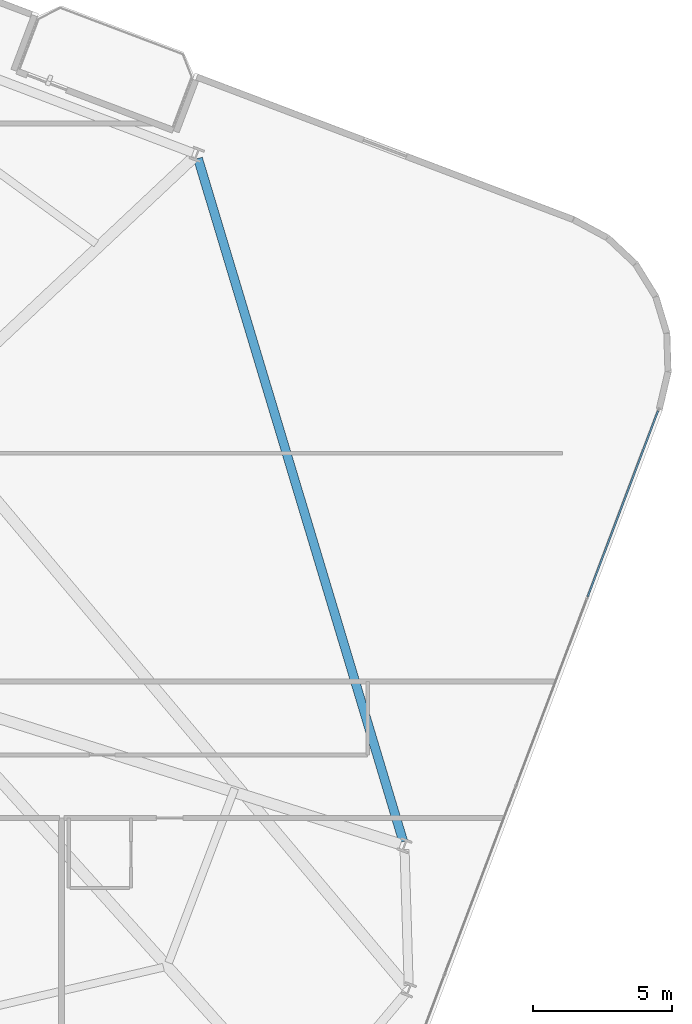
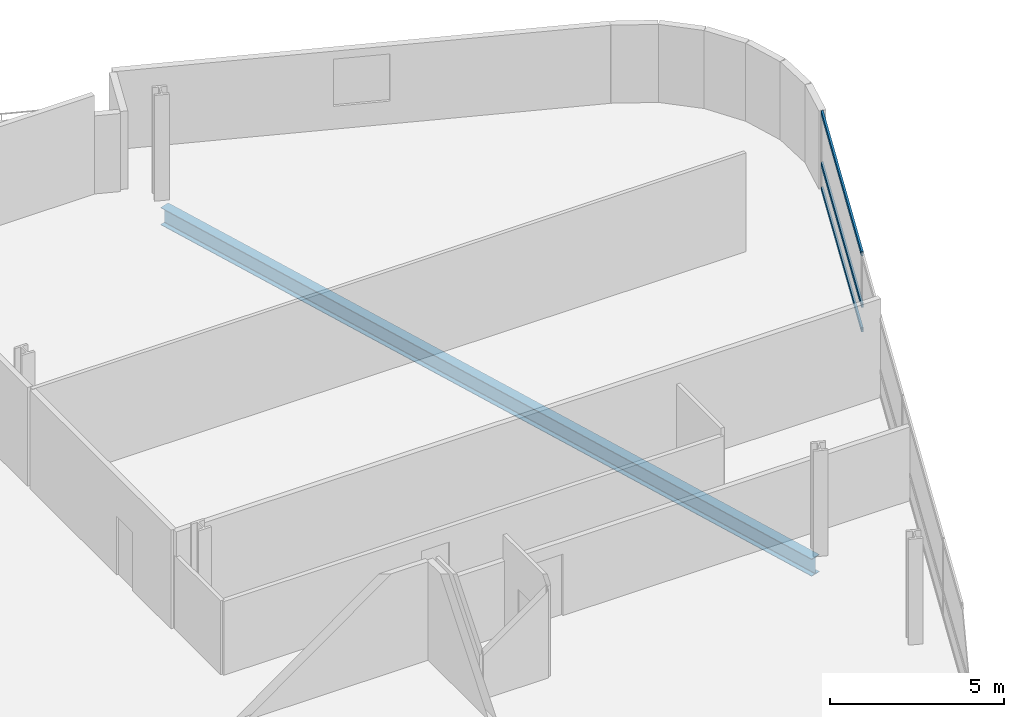
# One storey, part 14 of 24: 3 members, 1 beam, 1 element without a shape of its own.
"""IFC4 building model written with IfcOpenShell, lengths in metres."""

from ifc_helpers import new_model, si_unit, direction, frame, origin, origin_2d, place, context, subcontext, project, spatial, hollow_rectangle, i_section, extrude, material, layer, layer_set, material_profile, profile_set, type_object, element, aggregate, save


model = new_model("IFC4")

# Units and contexts
model_context = context("Model", 3, precision=1e-05, world=origin(), true_north=direction((0.0, 1.0)))
body_context = subcontext(model_context, "Body", "Model", "MODEL_VIEW")
ifc_project = project(units=[si_unit("LENGTHUNIT", "METRE"), si_unit("AREAUNIT", "SQUARE_METRE"), si_unit("VOLUMEUNIT", "CUBIC_METRE"), si_unit("PLANEANGLEUNIT", "RADIAN"), si_unit("MASSUNIT", "GRAM", prefix="KILO")], contexts=[model_context])

# Site, building, storey
site_placement = place(None, origin())
site = spatial("IfcSite", under=ifc_project, at=site_placement, CompositionType="ELEMENT")
building_placement = place(site_placement, origin())
building = spatial("IfcBuilding", under=site, at=building_placement, Name="Varnelok Gate Tower", CompositionType="ELEMENT")
storey_placement = place(building_placement, frame((0.0, 0.0, 94.699951171875)))
storey = spatial("IfcBuildingStorey", under=building, at=storey_placement, Name="L23", CompositionType="ELEMENT", Elevation=94.699951171875)

# Beam
ifc_material_1 = material(Name="Structural Steel ASTM A992 Grade 50", Category="steel")
ifc_material_profile_1 = material_profile(ifc_material_1, i_section(OverallWidth=0.323974609375, OverallDepth=0.611083984375, WebThickness=0.0126953125, FlangeThickness=0.01904296875, FilletRadius=0.01806640625, at=origin_2d()), Name="W24X104")
ifc_profile_set_1 = profile_set([ifc_material_profile_1], Name="Structural Steel ASTM A992 Grade 50")
beam_type = type_object("IfcBeamType", Name="BM-SPN-W24X104", PredefinedType="SPANDREL", material=ifc_profile_set_1)
beam_placement = place(storey_placement, frame((71.27587890625, 13.497802734375, -0.555419921875), z_axis=(-0.287745549664, 0.957706896001, 0.0), x_axis=(-0.957706896001, -0.287745549664, 0.0)))
element("IfcBeam", 1, at=beam_placement, inside=storey, type_object=beam_type, Name="L23 Perimeter Spandrel Beam 8", PredefinedType="SPANDREL", context=body_context, shape_type="SweptSolid", body=[
    extrude(i_section(OverallWidth=0.323974609375, OverallDepth=0.611083984375, WebThickness=0.0126953125, FlangeThickness=0.01904296875, FilletRadius=0.01806640625, at=origin_2d()), origin(), (0.0, 0.0, 1.0), 25.6259765625),
])

# Curtain wall, members
ifc_material_2 = material(Name="Anodized Aluminum Alloy 6063-T6", Category="aluminium")
ifc_layer = layer(ifc_material_2, 0.179931640625)
ifc_layer_set = layer_set([ifc_layer], Name="Anodized Aluminum Alloy 6063-T6")
curtain_wall_type = type_object("IfcCurtainWallType", Name="CW3-HOTEL-VISION", PredefinedType="USERDEFINED", material=ifc_layer_set)
curtain_wall_placement = place(storey_placement, origin())
curtain_wall = element("IfcCurtainWall", 2, at=curtain_wall_placement, inside=storey, type_object=curtain_wall_type, Name="L23 East End Vision Curtain Wall", ObjectType="UNITISED CURTAIN WALL", PredefinedType="USERDEFINED")
ifc_material_profile_2 = material_profile(ifc_material_2, hollow_rectangle(XDim=0.06494140625, YDim=0.159912109375, WallThickness=0.00390625, at=origin_2d()), Name="ALU160X65X4")
ifc_profile_set_2 = profile_set([ifc_material_profile_2], Name="Anodized Aluminum Alloy 6063-T6")
member_type = type_object("IfcMemberType", Name="CW-TRAN-160", PredefinedType="USERDEFINED", material=ifc_profile_set_2)
member_1_placement = place(storey_placement, frame((80.431884765625, 28.974365234375, 0.032470703125), z_axis=(-0.35404725046, -0.935227536187, 0.0), x_axis=(0.935227536187, -0.35404725046, 0.0)))
member_1 = element("IfcMember", 3, at=member_1_placement, type_object=member_type, Name="CW3 transom 1.1", ObjectType="TRANSOM", PredefinedType="USERDEFINED", context=body_context, shape_type="SweptSolid", body=[
    extrude(hollow_rectangle(XDim=0.06494140625, YDim=0.159912109375, WallThickness=0.00390625, at=origin_2d()), origin(), (0.0, 0.0, 1.0), 7.142578125),
])
member_2_placement = place(storey_placement, frame((80.431884765625, 28.974365234375, 0.900146484375), z_axis=(-0.35404725046, -0.935227536187, 0.0), x_axis=(0.935227536187, -0.35404725046, 0.0)))
member_2 = element("IfcMember", 4, at=member_2_placement, type_object=member_type, Name="CW3 transom 1.2", ObjectType="TRANSOM", PredefinedType="USERDEFINED", context=body_context, shape_type="SweptSolid", body=[
    extrude(hollow_rectangle(XDim=0.06494140625, YDim=0.159912109375, WallThickness=0.00390625, at=origin_2d()), origin(), (0.0, 0.0, 1.0), 7.142578125),
])
member_3_placement = place(storey_placement, frame((80.431884765625, 28.974365234375, 2.697509765625), z_axis=(-0.35404725046, -0.935227536187, 0.0), x_axis=(0.935227536187, -0.35404725046, 0.0)))
member_3 = element("IfcMember", 5, at=member_3_placement, type_object=member_type, Name="CW3 transom 1.3", ObjectType="TRANSOM", PredefinedType="USERDEFINED", context=body_context, shape_type="SweptSolid", body=[
    extrude(hollow_rectangle(XDim=0.06494140625, YDim=0.159912109375, WallThickness=0.00390625, at=origin_2d()), origin(), (0.0, 0.0, 1.0), 7.142578125),
])
aggregate(curtain_wall, [member_1, member_2, member_3])

save(model, "model.ifc")
